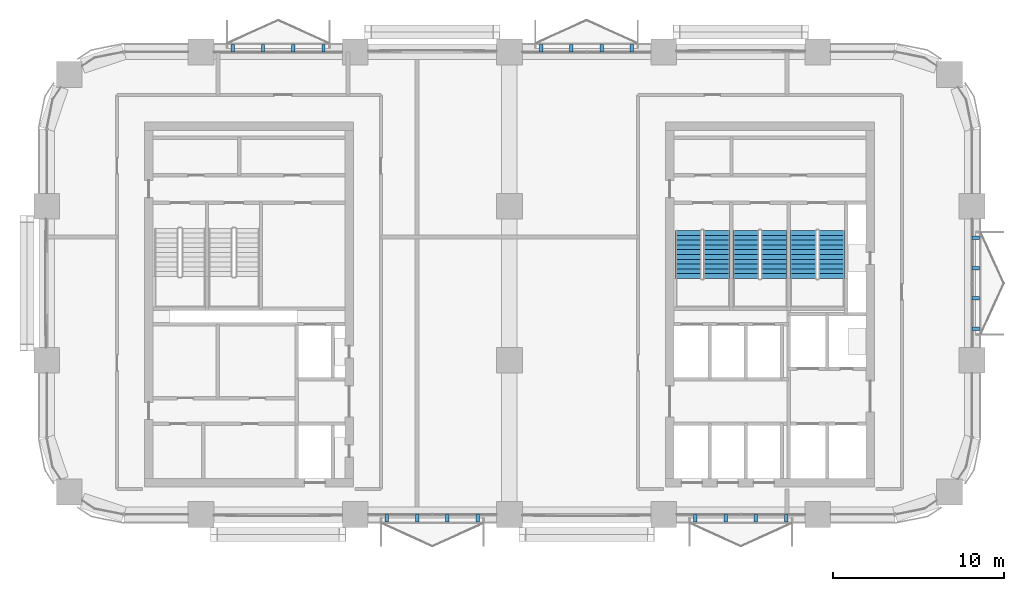
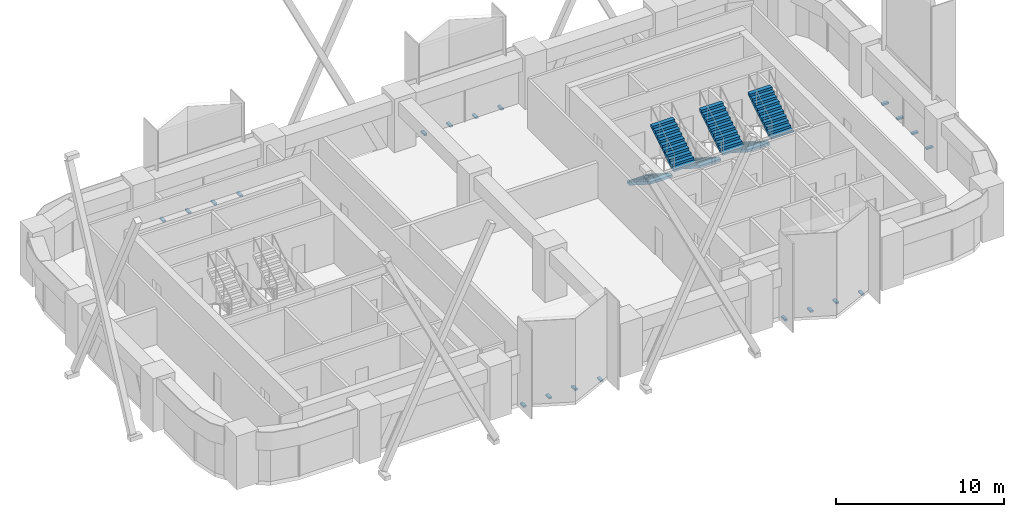
# One storey, part 12 of 14: 20 discrete accessories, 6 stair flights, 3 elements without a shape of their own.
"""IFC4 building model written with IfcOpenShell, lengths in metres."""

from ifc_helpers import new_model, si_unit, direction, frame, origin, origin_2d, place, context, subcontext, project, spatial, polyline, rectangle, outline, extrude, material, type_object, element, aggregate, save


model = new_model("IFC4")

# Units and contexts
model_context = context("Model", 3, precision=1e-05, world=origin(), true_north=direction((0.0, 1.0)))
body_context = subcontext(model_context, "Body", "Model", "MODEL_VIEW")
ifc_project = project(units=[si_unit("LENGTHUNIT", "METRE"), si_unit("AREAUNIT", "SQUARE_METRE"), si_unit("VOLUMEUNIT", "CUBIC_METRE"), si_unit("PLANEANGLEUNIT", "RADIAN"), si_unit("MASSUNIT", "GRAM", prefix="KILO")], contexts=[model_context])

# Site, building, storey
site_placement = place(None, origin())
site = spatial("IfcSite", under=ifc_project, at=site_placement, CompositionType="ELEMENT")
building_placement = place(site_placement, origin())
building = spatial("IfcBuilding", under=site, at=building_placement, Name="Tessera Arch", CompositionType="ELEMENT")
storey_placement = place(building_placement, frame((0.0, 0.0, 181.699951171875)))
storey = spatial("IfcBuildingStorey", under=building, at=storey_placement, Name="L43", CompositionType="ELEMENT", Elevation=181.699951171875)

# Stair, stair flights
ifc_material_1 = material(Name="Concrete C40/50", Category="concrete")
stair_type = type_object("IfcStairType", Name="Dogleg stair 1520", PredefinedType="HALF_TURN_STAIR", material=ifc_material_1)
stair_1_placement = place(storey_placement, origin())
stair_1 = element("IfcStair", 1, at=stair_1_placement, inside=storey, type_object=stair_type, Name="L43 S1a", PredefinedType="HALF_TURN_STAIR")
ifc_material_2 = material(Name="Concrete C40/50", Category="concrete")
stair_flight_type = type_object("IfcStairFlightType", Name="Stair flight 1520", PredefinedType="STRAIGHT", material=ifc_material_2)
stair_flight_1_placement = place(storey_placement, frame((37.4599609375, 43.580078125, 0.0), z_axis=(0.0, 0.0, 1.0), x_axis=(0.0, -1.0, 0.0)))
stair_flight_1 = element("IfcStairFlight", 2, at=stair_flight_1_placement, type_object=stair_flight_type, Name="S1a flight 1", NumberOfRisers=11, NumberOfTreads=10, PredefinedType="STRAIGHT", RiserHeight=0.177272727, TreadLength=0.28, context=body_context, shape_type="SweptSolid", body=[
    extrude(outline(polyline([(0.0, 0.0), (0.0, 0.17724609375), (0.280029296875, 0.17724609375), (0.280029296875, 0.3544921875), (0.56005859375, 0.3544921875), (0.56005859375, 0.53173828125), (0.840087890625, 0.53173828125), (0.840087890625, 0.708984375), (1.1201171875, 0.708984375), (1.1201171875, 0.886474609375), (1.39990234375, 0.886474609375), (1.39990234375, 1.063720703125), (1.679931640625, 1.063720703125), (1.679931640625, 1.240966796875), (1.9599609375, 1.240966796875), (1.9599609375, 1.418212890625), (2.239990234375, 1.418212890625), (2.239990234375, 1.595458984375), (2.52001953125, 1.595458984375), (2.52001953125, 1.772705078125), (2.800048828125, 1.772705078125), (2.800048828125, 1.949951171875), (2.800048828125, 1.59521484375), (0.2802734375, 0.0), (0.0, 0.0)])), frame((0.0, 0.760009765625, 0.0), z_axis=(0.0, -1.0, 0.0), x_axis=(1.0, 0.0, 0.0)), (0.0, 0.0, 1.0), 1.52001953125),
])
stair_flight_2_placement = place(storey_placement, frame((39.090087890625, 40.780029296875, 1.949951171875), z_axis=(0.0, 0.0, 1.0), x_axis=(0.0, 1.0, 0.0)))
stair_flight_2 = element("IfcStairFlight", 3, at=stair_flight_2_placement, type_object=stair_flight_type, Name="S1a flight 2", NumberOfRisers=11, NumberOfTreads=10, PredefinedType="STRAIGHT", RiserHeight=0.177272727, TreadLength=0.28, context=body_context, shape_type="SweptSolid", body=[
    extrude(outline(polyline([(0.0, 0.0), (0.0, 0.17724609375), (0.280029296875, 0.17724609375), (0.280029296875, 0.3544921875), (0.56005859375, 0.3544921875), (0.56005859375, 0.53173828125), (0.840087890625, 0.53173828125), (0.840087890625, 0.708984375), (1.1201171875, 0.708984375), (1.1201171875, 0.886474609375), (1.39990234375, 0.886474609375), (1.39990234375, 1.063720703125), (1.679931640625, 1.063720703125), (1.679931640625, 1.240966796875), (1.9599609375, 1.240966796875), (1.9599609375, 1.418212890625), (2.239990234375, 1.418212890625), (2.239990234375, 1.595458984375), (2.52001953125, 1.595458984375), (2.52001953125, 1.772705078125), (2.800048828125, 1.772705078125), (2.800048828125, 1.949951171875), (2.800048828125, 1.59521484375), (0.2802734375, 0.0), (0.0, 0.0)])), frame((0.0, 0.760009765625, 0.0), z_axis=(0.0, -1.0, 0.0), x_axis=(1.0, 0.0, 0.0)), (0.0, 0.0, 1.0), 1.52001953125),
])
aggregate(stair_1, [stair_flight_1, stair_flight_2])

stair_2_placement = place(storey_placement, origin())
stair_2 = element("IfcStair", 4, at=stair_2_placement, inside=storey, type_object=stair_type, Name="L43 S1b", PredefinedType="HALF_TURN_STAIR")
stair_flight_3_placement = place(storey_placement, frame((40.81005859375, 43.580078125, 0.0), z_axis=(0.0, 0.0, 1.0), x_axis=(0.0, -1.0, 0.0)))
stair_flight_3 = element("IfcStairFlight", 5, at=stair_flight_3_placement, type_object=stair_flight_type, Name="S1b flight 1", NumberOfRisers=11, NumberOfTreads=10, PredefinedType="STRAIGHT", RiserHeight=0.177272727, TreadLength=0.28, context=body_context, shape_type="SweptSolid", body=[
    extrude(outline(polyline([(0.0, 0.0), (0.0, 0.17724609375), (0.280029296875, 0.17724609375), (0.280029296875, 0.3544921875), (0.56005859375, 0.3544921875), (0.56005859375, 0.53173828125), (0.840087890625, 0.53173828125), (0.840087890625, 0.708984375), (1.1201171875, 0.708984375), (1.1201171875, 0.886474609375), (1.39990234375, 0.886474609375), (1.39990234375, 1.063720703125), (1.679931640625, 1.063720703125), (1.679931640625, 1.240966796875), (1.9599609375, 1.240966796875), (1.9599609375, 1.418212890625), (2.239990234375, 1.418212890625), (2.239990234375, 1.595458984375), (2.52001953125, 1.595458984375), (2.52001953125, 1.772705078125), (2.800048828125, 1.772705078125), (2.800048828125, 1.949951171875), (2.800048828125, 1.59521484375), (0.2802734375, 0.0), (0.0, 0.0)])), frame((0.0, 0.760009765625, 0.0), z_axis=(0.0, -1.0, 0.0), x_axis=(1.0, 0.0, 0.0)), (0.0, 0.0, 1.0), 1.52001953125),
])
stair_flight_4_placement = place(storey_placement, frame((42.43994140625, 40.780029296875, 1.949951171875), z_axis=(0.0, 0.0, 1.0), x_axis=(0.0, 1.0, 0.0)))
stair_flight_4 = element("IfcStairFlight", 6, at=stair_flight_4_placement, type_object=stair_flight_type, Name="S1b flight 2", NumberOfRisers=11, NumberOfTreads=10, PredefinedType="STRAIGHT", RiserHeight=0.177272727, TreadLength=0.28, context=body_context, shape_type="SweptSolid", body=[
    extrude(outline(polyline([(0.0, 0.0), (0.0, 0.17724609375), (0.280029296875, 0.17724609375), (0.280029296875, 0.3544921875), (0.56005859375, 0.3544921875), (0.56005859375, 0.53173828125), (0.840087890625, 0.53173828125), (0.840087890625, 0.708984375), (1.1201171875, 0.708984375), (1.1201171875, 0.886474609375), (1.39990234375, 0.886474609375), (1.39990234375, 1.063720703125), (1.679931640625, 1.063720703125), (1.679931640625, 1.240966796875), (1.9599609375, 1.240966796875), (1.9599609375, 1.418212890625), (2.239990234375, 1.418212890625), (2.239990234375, 1.595458984375), (2.52001953125, 1.595458984375), (2.52001953125, 1.772705078125), (2.800048828125, 1.772705078125), (2.800048828125, 1.949951171875), (2.800048828125, 1.59521484375), (0.2802734375, 0.0), (0.0, 0.0)])), frame((0.0, 0.760009765625, 0.0), z_axis=(0.0, -1.0, 0.0), x_axis=(1.0, 0.0, 0.0)), (0.0, 0.0, 1.0), 1.52001953125),
])
aggregate(stair_2, [stair_flight_3, stair_flight_4])

stair_3_placement = place(storey_placement, origin())
stair_3 = element("IfcStair", 7, at=stair_3_placement, inside=storey, type_object=stair_type, Name="L43 S1c", PredefinedType="HALF_TURN_STAIR")
stair_flight_5_placement = place(storey_placement, frame((44.159912109375, 43.580078125, 0.0), z_axis=(0.0, 0.0, 1.0), x_axis=(0.0, -1.0, 0.0)))
stair_flight_5 = element("IfcStairFlight", 8, at=stair_flight_5_placement, type_object=stair_flight_type, Name="S1c flight 1", NumberOfRisers=11, NumberOfTreads=10, PredefinedType="STRAIGHT", RiserHeight=0.177272727, TreadLength=0.28, context=body_context, shape_type="SweptSolid", body=[
    extrude(outline(polyline([(0.0, 0.0), (0.0, 0.17724609375), (0.280029296875, 0.17724609375), (0.280029296875, 0.3544921875), (0.56005859375, 0.3544921875), (0.56005859375, 0.53173828125), (0.840087890625, 0.53173828125), (0.840087890625, 0.708984375), (1.1201171875, 0.708984375), (1.1201171875, 0.886474609375), (1.39990234375, 0.886474609375), (1.39990234375, 1.063720703125), (1.679931640625, 1.063720703125), (1.679931640625, 1.240966796875), (1.9599609375, 1.240966796875), (1.9599609375, 1.418212890625), (2.239990234375, 1.418212890625), (2.239990234375, 1.595458984375), (2.52001953125, 1.595458984375), (2.52001953125, 1.772705078125), (2.800048828125, 1.772705078125), (2.800048828125, 1.949951171875), (2.800048828125, 1.59521484375), (0.2802734375, 0.0), (0.0, 0.0)])), frame((0.0, 0.760009765625, 0.0), z_axis=(0.0, -1.0, 0.0), x_axis=(1.0, 0.0, 0.0)), (0.0, 0.0, 1.0), 1.52001953125),
])
stair_flight_6_placement = place(storey_placement, frame((45.7900390625, 40.780029296875, 1.949951171875), z_axis=(0.0, 0.0, 1.0), x_axis=(0.0, 1.0, 0.0)))
stair_flight_6 = element("IfcStairFlight", 9, at=stair_flight_6_placement, type_object=stair_flight_type, Name="S1c flight 2", NumberOfRisers=11, NumberOfTreads=10, PredefinedType="STRAIGHT", RiserHeight=0.177272727, TreadLength=0.28, context=body_context, shape_type="SweptSolid", body=[
    extrude(outline(polyline([(0.0, 0.0), (0.0, 0.17724609375), (0.280029296875, 0.17724609375), (0.280029296875, 0.3544921875), (0.56005859375, 0.3544921875), (0.56005859375, 0.53173828125), (0.840087890625, 0.53173828125), (0.840087890625, 0.708984375), (1.1201171875, 0.708984375), (1.1201171875, 0.886474609375), (1.39990234375, 0.886474609375), (1.39990234375, 1.063720703125), (1.679931640625, 1.063720703125), (1.679931640625, 1.240966796875), (1.9599609375, 1.240966796875), (1.9599609375, 1.418212890625), (2.239990234375, 1.418212890625), (2.239990234375, 1.595458984375), (2.52001953125, 1.595458984375), (2.52001953125, 1.772705078125), (2.800048828125, 1.772705078125), (2.800048828125, 1.949951171875), (2.800048828125, 1.59521484375), (0.2802734375, 0.0), (0.0, 0.0)])), frame((0.0, 0.760009765625, 0.0), z_axis=(0.0, -1.0, 0.0), x_axis=(1.0, 0.0, 0.0)), (0.0, 0.0, 1.0), 1.52001953125),
])
aggregate(stair_3, [stair_flight_5, stair_flight_6])

# Discrete accessories
for number, where, z_axis, x_axis, name in (
    (10, (16.14990234375, 54.219970703125, -0.1201171875), (0.0, 0.0, 1.0), (0.0, 1.0, 0.0), "Window box bracket"),
    (11, (14.38330078125, 54.219970703125, -0.1201171875), (0.0, 0.0, 1.0), (0.0, 1.0, 0.0), "Window box bracket"),
    (12, (12.61669921875, 54.219970703125, -0.1201171875), (0.0, 0.0, 1.0), (0.0, 1.0, 0.0), "Window box bracket"),
    (13, (10.85009765625, 54.219970703125, -0.1201171875), (0.0, 0.0, 1.0), (0.0, 1.0, 0.0), "Window box bracket"),
    (14, (34.14990234375, 54.219970703125, -0.1201171875), (0.0, 0.0, 1.0), (0.0, 1.0, 0.0), "Window box bracket"),
    (15, (32.38330078125, 54.219970703125, -0.1201171875), (0.0, 0.0, 1.0), (0.0, 1.0, 0.0), "Window box bracket"),
    (16, (30.61669921875, 54.219970703125, -0.1201171875), (0.0, 0.0, 1.0), (0.0, 1.0, 0.0), "Window box bracket"),
    (17, (28.85009765625, 54.219970703125, -0.1201171875), (0.0, 0.0, 1.0), (0.0, 1.0, 0.0), "Window box bracket"),
    (18, (37.85009765625, 26.780029296875, -0.1201171875), (0.0, 0.0, 1.0), (0.0, -1.0, 0.0), "Window box bracket"),
    (19, (39.61669921875, 26.780029296875, -0.1201171875), (0.0, 0.0, 1.0), (0.0, -1.0, 0.0), "Window box bracket"),
    (20, (41.38330078125, 26.780029296875, -0.1201171875), (0.0, 0.0, 1.0), (0.0, -1.0, 0.0), "Window box bracket"),
    (21, (43.14990234375, 26.780029296875, -0.1201171875), (0.0, 0.0, 1.0), (0.0, -1.0, 0.0), "Window box bracket"),
    (22, (54.219970703125, 37.85009765625, -0.1201171875), (0.0, 0.0, 1.0), (1.0, 0.0, 0.0), "Window box bracket"),
    (23, (54.219970703125, 39.61669921875, -0.1201171875), (0.0, 0.0, 1.0), (1.0, 0.0, 0.0), "Window box bracket"),
    (24, (54.219970703125, 41.38330078125, -0.1201171875), (0.0, 0.0, 1.0), (1.0, 0.0, 0.0), "Window box bracket"),
    (25, (54.219970703125, 43.14990234375, -0.1201171875), (0.0, 0.0, 1.0), (1.0, 0.0, 0.0), "Window box bracket"),
    (26, (19.85009765625, 26.780029296875, -0.1201171875), (0.0, 0.0, 1.0), (0.0, -1.0, 0.0), "Window box bracket"),
    (27, (21.61669921875, 26.780029296875, -0.1201171875), (0.0, 0.0, 1.0), (0.0, -1.0, 0.0), "Window box bracket"),
    (28, (23.38330078125, 26.780029296875, -0.1201171875), (0.0, 0.0, 1.0), (0.0, -1.0, 0.0), "Window box bracket"),
    (29, (25.14990234375, 26.780029296875, -0.1201171875), (0.0, 0.0, 1.0), (0.0, -1.0, 0.0), "Window box bracket"),
):
    element("IfcDiscreteAccessory", number, at=place(storey_placement, frame(where, z_axis=z_axis, x_axis=x_axis)), inside=storey, Name=name, PredefinedType="BRACKET", context=body_context, shape_type="SweptSolid", body=[
        extrude(rectangle(XDim=0.43994140625, YDim=0.199951171875, at=origin_2d()), origin(), (0.0, 0.0, 1.0), 0.1201171875),
    ])

save(model, "model.ifc")
